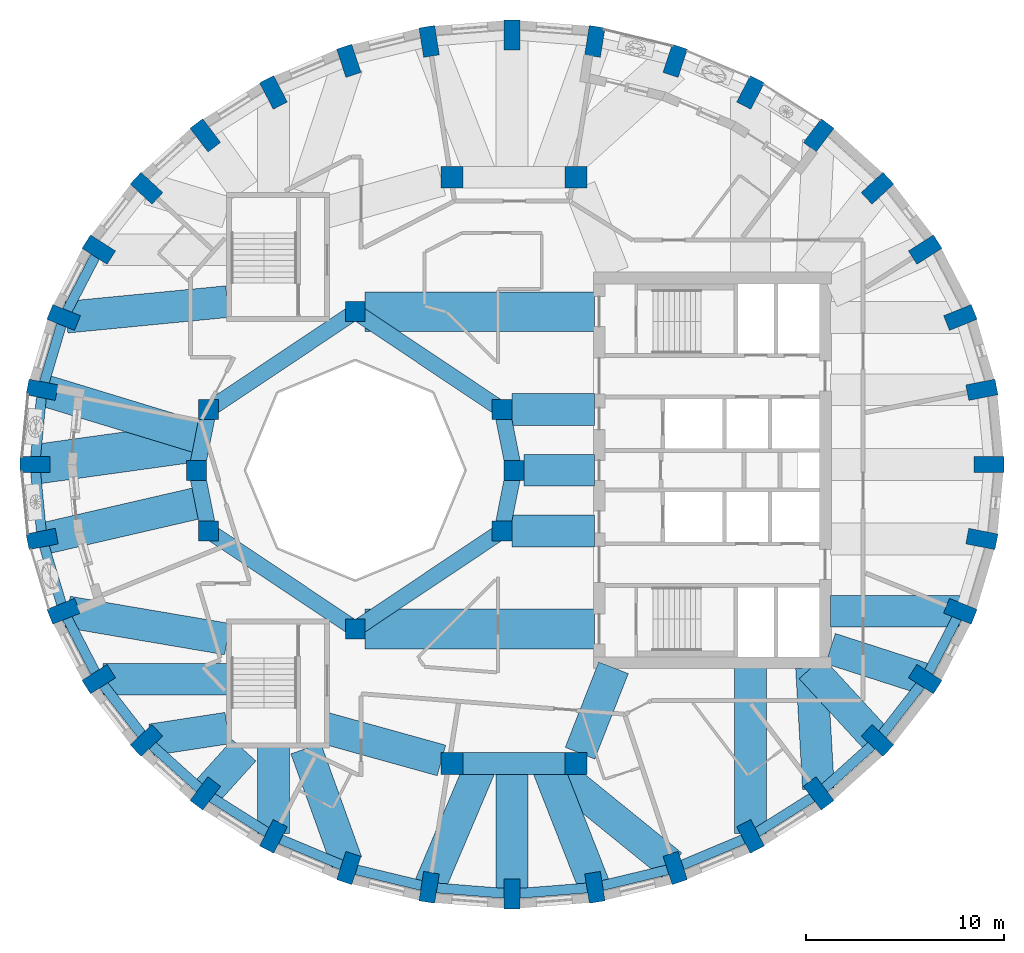
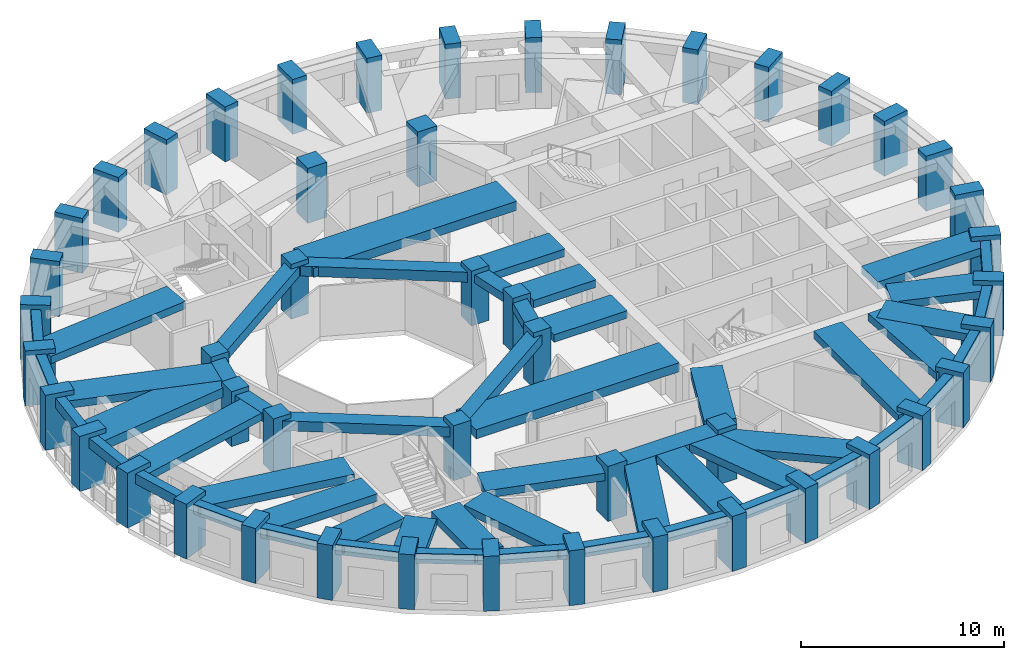
# One storey, part 1 of 12: 54 beams, 48 columns.
"""IFC4 building model written with IfcOpenShell, lengths in metres."""

from ifc_helpers import new_model, si_unit, direction, frame, origin, origin_2d, place, context, subcontext, project, spatial, rectangle, extrude, material, material_profile, profile_set, type_object, element, save


model = new_model("IFC4")

# Units and contexts
model_context = context("Model", 3, precision=1e-05, world=origin(), true_north=direction((0.0, 1.0)))
body_context = subcontext(model_context, "Body", "Model", "MODEL_VIEW")
ifc_project = project(units=[si_unit("LENGTHUNIT", "METRE"), si_unit("AREAUNIT", "SQUARE_METRE"), si_unit("VOLUMEUNIT", "CUBIC_METRE"), si_unit("PLANEANGLEUNIT", "RADIAN"), si_unit("MASSUNIT", "GRAM", prefix="KILO")], contexts=[model_context])

# Site, building, storey
site_placement = place(None, origin())
site = spatial("IfcSite", under=ifc_project, at=site_placement, CompositionType="ELEMENT")
building_placement = place(site_placement, origin())
building = spatial("IfcBuilding", under=site, at=building_placement, Name="Taillehof Tower", CompositionType="ELEMENT")
storey_placement = place(building_placement, frame((0.0, 0.0, 233.300048828125)))
storey = spatial("IfcBuildingStorey", under=building, at=storey_placement, Name="L66", CompositionType="ELEMENT", Elevation=233.300048828125)

# Columns
ifc_material_1 = material(Name="Concrete C50/60", Category="concrete")
ifc_material_profile_1 = material_profile(ifc_material_1, rectangle(XDim=1.0, YDim=1.0, at=origin_2d()), Name="RC 1000x1000")
ifc_profile_set_1 = profile_set([ifc_material_profile_1], Name="Concrete C50/60")
column_type_1 = type_object("IfcColumnType", Name="Atrium ring column C50/60 1000x1000", PredefinedType="COLUMN", material=ifc_profile_set_1)
for number, where, z_axis, x_axis, name in (
    (1, (0.0, 0.0, 0.0), (0.0, 0.0, 1.0), (1.0, 0.0, 0.0), "Column AC01"),
    (2, (-0.60888671875, 3.0615234375, 0.0), (0.0, 0.0, 1.0), (1.0, 0.0, 0.0), "Column AC02"),
    (3, (-8.0, 8.0, 0.0), (0.0, 0.0, 1.0), (1.0, 0.0, 0.0), "Column AC05"),
    (4, (-15.39111328125, 3.0615234375, 0.0), (0.0, 0.0, 1.0), (1.0, 0.0, 0.0), "Column AC08"),
    (5, (-16.0, 0.0, 0.0), (0.0, 0.0, 1.0), (1.0, 0.0, 0.0), "Column AC09"),
    (6, (-15.39111328125, -3.0615234375, 0.0), (0.0, 0.0, 1.0), (1.0, 0.0, 0.0), "Column AC10"),
    (7, (-8.0, -8.0, 0.0), (0.0, 0.0, 1.0), (1.0, 0.0, 0.0), "Column AC13"),
    (8, (-0.60888671875, -3.0615234375, 0.0), (0.0, 0.0, 1.0), (1.0, 0.0, 0.0), "Column AC16"),
):
    element("IfcColumn", number, at=place(storey_placement, frame(where, z_axis=z_axis, x_axis=x_axis)), inside=storey, type_object=column_type_1, Name=name, PredefinedType="COLUMN", context=body_context, shape_type="SweptSolid", body=[
        extrude(rectangle(XDim=1.0, YDim=1.0, at=origin_2d()), origin(), (0.0, 0.0, 1.0), 3.300048828125),
    ])
ifc_material_2 = material(Name="Concrete C50/60", Category="concrete")
ifc_material_profile_2 = material_profile(ifc_material_2, rectangle(XDim=1.10009765625, YDim=1.10009765625, at=origin_2d()), Name="RC 1100x1100")
ifc_profile_set_2 = profile_set([ifc_material_profile_2], Name="Concrete C50/60")
column_type_2 = type_object("IfcColumnType", Name="Mid-ring column C50/60 1100x1100", PredefinedType="COLUMN", material=ifc_profile_set_2)
for number, where, z_axis, x_axis, name in (
    (9, (3.125732421875, 14.772216796875, 0.0), (0.0, 0.0, 1.0), (1.0, 0.0, 0.0), "Column MC05"),
    (10, (-3.125732421875, 14.772216796875, 0.0), (0.0, 0.0, 1.0), (1.0, 0.0, 0.0), "Column MC06"),
    (11, (-3.125732421875, -14.772216796875, 0.0), (0.0, 0.0, 1.0), (1.0, 0.0, 0.0), "Column MC14"),
    (12, (3.125732421875, -14.772216796875, 0.0), (0.0, 0.0, 1.0), (1.0, 0.0, 0.0), "Column MC15"),
):
    element("IfcColumn", number, at=place(storey_placement, frame(where, z_axis=z_axis, x_axis=x_axis)), inside=storey, type_object=column_type_2, Name=name, PredefinedType="COLUMN", context=body_context, shape_type="SweptSolid", body=[
        extrude(rectangle(XDim=1.10009765625, YDim=1.10009765625, at=origin_2d()), origin(), (0.0, 0.0, 1.0), 3.300048828125),
    ])
ifc_material_3 = material(Name="Concrete C50/60", Category="concrete")
ifc_material_profile_3 = material_profile(ifc_material_3, rectangle(XDim=1.5, YDim=0.800048828125, at=origin_2d()), Name="RC 1500x800")
ifc_profile_set_3 = profile_set([ifc_material_profile_3], Name="Concrete C50/60")
column_type_3 = type_object("IfcColumnType", Name="Ring column C50/60 1500x800", PredefinedType="COLUMN", material=ifc_profile_set_3)
for number, where, z_axis, x_axis, name in (
    (13, (23.949951171875, 0.300048828125, 0.0), (0.0, 0.0, 1.0), (1.0, 0.0, 0.0), "Ring column RC01"),
    (14, (23.584716796875, 4.0595703125, 0.0), (0.0, 0.0, 1.0), (0.981472639166, 0.191602344891, 0.0), "Ring column RC02"),
    (15, (22.49951171875, 7.704833984375, 0.0), (0.0, 0.0, 1.0), (0.927524694272, 0.373761878092, 0.0), "Ring column RC03"),
    (16, (20.72802734375, 11.125, 0.0), (0.0, 0.0, 1.0), (0.842573772535, 0.538580948267, 0.0), "Ring column RC04"),
    (17, (18.323486328125, 14.21630859375, 0.0), (0.0, 0.0, 1.0), (0.73263579998, 0.680620881686, 0.0), "Ring column RC05"),
    (18, (15.359130859375, 16.884765625, 0.0), (0.0, 0.0, 1.0), (0.604020073066, 0.796969103123, 0.0), "Ring column RC06"),
    (19, (11.925048828125, 19.049560546875, 0.0), (0.0, 0.0, 1.0), (0.462383690865, 0.886679943622, 0.0), "Ring column RC07"),
    (20, (8.12548828125, 20.644287109375, 0.0), (0.0, 0.0, 1.0), (0.312304079287, 0.949982190391, 0.0), "Ring column RC08"),
    (21, (4.076171875, 21.62109375, 0.0), (0.0, 0.0, 1.0), (0.1572808136, 0.987553920388, 0.0), "Ring column RC09"),
    (22, (-0.10009765625, 21.949951171875, 0.0), (0.0, 0.0, 1.0), (0.0, 1.0, 0.0), "Ring column RC10"),
    (23, (-4.276123046875, 21.62109375, 0.0), (0.0, 0.0, 1.0), (-0.1572808136, 0.987553920388, 0.0), "Ring column RC11"),
    (24, (-8.32568359375, 20.644287109375, 0.0), (0.0, 0.0, 1.0), (-0.312304079287, 0.949982190391, 0.0), "Ring column RC12"),
    (25, (-12.125, 19.049560546875, 0.0), (0.0, 0.0, 1.0), (-0.462383690865, 0.886679943622, 0.0), "Ring column RC13"),
    (26, (-15.55908203125, 16.884765625, 0.0), (0.0, 0.0, 1.0), (-0.604020073066, 0.796969103123, 0.0), "Ring column RC14"),
    (27, (-18.5234375, 14.21630859375, 0.0), (0.0, 0.0, 1.0), (-0.73263579998, 0.680620881686, 0.0), "Ring column RC15"),
    (28, (-20.927978515625, 11.125, 0.0), (0.0, 0.0, 1.0), (-0.842573772535, 0.538580948267, 0.0), "Ring column RC16"),
    (29, (-22.69970703125, 7.704833984375, 0.0), (0.0, 0.0, 1.0), (-0.927524694272, 0.373761878092, 0.0), "Ring column RC17"),
    (30, (-23.78466796875, 4.0595703125, 0.0), (0.0, 0.0, 1.0), (-0.981472639166, 0.191602344891, 0.0), "Ring column RC18"),
    (31, (-24.14990234375, 0.300048828125, 0.0), (0.0, 0.0, 1.0), (-1.0, 0.0, 0.0), "Ring column RC19"),
    (32, (-23.78466796875, -3.45947265625, 0.0), (0.0, 0.0, 1.0), (-0.981472639166, -0.191602344891, 0.0), "Ring column RC20"),
    (33, (-22.69970703125, -7.104736328125, 0.0), (0.0, 0.0, 1.0), (-0.927524694272, -0.373761878092, 0.0), "Ring column RC21"),
    (34, (-20.927978515625, -10.52490234375, 0.0), (0.0, 0.0, 1.0), (-0.842573772535, -0.538580948267, 0.0), "Ring column RC22"),
    (35, (-18.5234375, -13.616455078125, 0.0), (0.0, 0.0, 1.0), (-0.73263579998, -0.680620881686, 0.0), "Ring column RC23"),
    (36, (-15.55908203125, -16.284912109375, 0.0), (0.0, 0.0, 1.0), (-0.604020073066, -0.796969103123, 0.0), "Ring column RC24"),
    (37, (-12.125, -18.449462890625, 0.0), (0.0, 0.0, 1.0), (-0.462383690865, -0.886679943622, 0.0), "Ring column RC25"),
    (38, (-8.32568359375, -20.04443359375, 0.0), (0.0, 0.0, 1.0), (-0.312304079287, -0.949982190391, 0.0), "Ring column RC26"),
    (39, (-4.276123046875, -21.02099609375, 0.0), (0.0, 0.0, 1.0), (-0.1572808136, -0.987553920388, 0.0), "Ring column RC27"),
    (40, (-0.10009765625, -21.35009765625, 0.0), (0.0, 0.0, 1.0), (0.0, -1.0, 0.0), "Ring column RC28"),
    (41, (4.076171875, -21.02099609375, 0.0), (0.0, 0.0, 1.0), (0.1572808136, -0.987553920388, 0.0), "Ring column RC29"),
    (42, (8.12548828125, -20.04443359375, 0.0), (0.0, 0.0, 1.0), (0.312304079287, -0.949982190391, 0.0), "Ring column RC30"),
    (43, (11.925048828125, -18.449462890625, 0.0), (0.0, 0.0, 1.0), (0.462383690865, -0.886679943622, 0.0), "Ring column RC31"),
    (44, (15.359130859375, -16.284912109375, 0.0), (0.0, 0.0, 1.0), (0.604020073066, -0.796969103123, 0.0), "Ring column RC32"),
    (45, (18.323486328125, -13.616455078125, 0.0), (0.0, 0.0, 1.0), (0.73263579998, -0.680620881686, 0.0), "Ring column RC33"),
    (46, (20.72802734375, -10.52490234375, 0.0), (0.0, 0.0, 1.0), (0.842573772535, -0.538580948267, 0.0), "Ring column RC34"),
    (47, (22.49951171875, -7.104736328125, 0.0), (0.0, 0.0, 1.0), (0.927524694272, -0.373761878092, 0.0), "Ring column RC35"),
    (48, (23.584716796875, -3.45947265625, 0.0), (0.0, 0.0, 1.0), (0.981472639166, -0.191602344891, 0.0), "Ring column RC36"),
):
    element("IfcColumn", number, at=place(storey_placement, frame(where, z_axis=z_axis, x_axis=x_axis)), inside=storey, type_object=column_type_3, Name=name, PredefinedType="COLUMN", context=body_context, shape_type="SweptSolid", body=[
        extrude(rectangle(XDim=1.5, YDim=0.800048828125, at=origin_2d()), origin(), (0.0, 0.0, 1.0), 3.300048828125),
    ])

# Beams
ifc_material_4 = material(Name="Concrete C50/60", Category="concrete")
ifc_material_profile_4 = material_profile(ifc_material_4, rectangle(XDim=0.800048828125, YDim=0.5, at=origin_2d()), Name="RC 800x500")
ifc_profile_set_4 = profile_set([ifc_material_profile_4], Name="Concrete C50/60")
beam_type_1 = type_object("IfcBeamType", Name="Atrium ring beam C50/60 800x500", PredefinedType="BEAM", material=ifc_profile_set_4)
for number, where, z_axis, x_axis, name in (
    (49, (0.0, 0.0, 2.77001953125), (-0.195063155143, 0.980790683839, 0.0), (-0.980790683839, -0.195063155143, 0.0), "Atrium ring beam AB01"),
    (50, (-15.39111328125, 3.0615234375, 2.77001953125), (-0.195063155143, -0.980790683839, 0.0), (0.980790683839, -0.195063155143, 0.0), "Atrium ring beam AB04"),
    (51, (-16.0, 0.0, 2.77001953125), (0.195063155143, -0.980790683839, 0.0), (0.980790683839, 0.195063155143, 0.0), "Atrium ring beam AB05"),
    (52, (-0.60888671875, -3.0615234375, 2.77001953125), (0.195063155143, 0.980790683839, 0.0), (-0.980790683839, 0.195063155143, 0.0), "Atrium ring beam AB08"),
):
    element("IfcBeam", number, at=place(storey_placement, frame(where, z_axis=z_axis, x_axis=x_axis)), inside=storey, type_object=beam_type_1, Name=name, PredefinedType="BEAM", context=body_context, shape_type="SweptSolid", body=[
        extrude(rectangle(XDim=0.800048828125, YDim=0.5, at=origin_2d()), origin(), (0.0, 0.0, 1.0), 3.12158203125),
    ])
ifc_material_5 = material(Name="Concrete C50/60", Category="concrete")
ifc_material_profile_5 = material_profile(ifc_material_5, rectangle(XDim=0.800048828125, YDim=0.60009765625, at=origin_2d()), Name="RC 800x600")
ifc_profile_set_5 = profile_set([ifc_material_profile_5], Name="Concrete C50/60")
beam_type_2 = type_object("IfcBeamType", Name="Atrium ring beam C50/60 800x600", PredefinedType="BEAM", material=ifc_profile_set_5)
for number, where, z_axis, x_axis, name in (
    (53, (-0.60888671875, 3.0615234375, 2.719970703125), (-0.831475195687, 0.555561876804, 0.0), (-0.555561876804, -0.831475195687, 0.0), "Atrium ring beam AB02"),
    (54, (-8.0, 8.0, 2.719970703125), (-0.831475195687, -0.555561876804, 0.0), (0.555561876804, -0.831475195687, 0.0), "Atrium ring beam AB03"),
    (55, (-15.39111328125, -3.0615234375, 2.719970703125), (0.831475195687, -0.555561876804, 0.0), (0.555561876804, 0.831475195687, 0.0), "Atrium ring beam AB06"),
    (56, (-8.0, -8.0, 2.719970703125), (0.831475195687, 0.555561876804, 0.0), (-0.555561876804, 0.831475195687, 0.0), "Atrium ring beam AB07"),
):
    element("IfcBeam", number, at=place(storey_placement, frame(where, z_axis=z_axis, x_axis=x_axis)), inside=storey, type_object=beam_type_2, Name=name, PredefinedType="BEAM", context=body_context, shape_type="SweptSolid", body=[
        extrude(rectangle(XDim=0.800048828125, YDim=0.60009765625, at=origin_2d()), origin(), (0.0, 0.0, 1.0), 8.88916015625),
    ])
ifc_material_6 = material(Name="Concrete C50/60", Category="concrete")
ifc_material_profile_6 = material_profile(ifc_material_6, rectangle(XDim=1.10009765625, YDim=0.60009765625, at=origin_2d()), Name="RC 1100x600")
ifc_profile_set_6 = profile_set([ifc_material_profile_6], Name="Concrete C50/60")
beam_type_3 = type_object("IfcBeamType", Name="Mid-ring beam C50/60 1100x600", PredefinedType="BEAM", material=ifc_profile_set_6)
beam_1_placement = place(storey_placement, frame((-3.125732421875, -14.772216796875, 2.719970703125), z_axis=(1.0, 0.0, 0.0), x_axis=(0.0, 1.0, 0.0)))
element("IfcBeam", 57, at=beam_1_placement, inside=storey, type_object=beam_type_3, Name="Mid-ring beam MB02", PredefinedType="BEAM", context=body_context, shape_type="SweptSolid", body=[
    extrude(rectangle(XDim=1.10009765625, YDim=0.60009765625, at=origin_2d()), origin(), (0.0, 0.0, 1.0), 6.25146484375),
])
ifc_material_7 = material(Name="Concrete C50/60", Category="concrete")
ifc_material_profile_7 = material_profile(ifc_material_7, rectangle(XDim=1.60009765625, YDim=0.449951171875, at=origin_2d()), Name="RC 1600x450")
ifc_profile_set_7 = profile_set([ifc_material_profile_7], Name="Concrete C50/60")
beam_type_4 = type_object("IfcBeamType", Name="Radial band beam C50/60 1600x450", PredefinedType="BEAM", material=ifc_profile_set_7)
beam_2_placement = place(storey_placement, frame((-22.564697265625, 7.7177734375, 2.794921875), z_axis=(0.995328408647, 0.096547185049, 0.0), x_axis=(-0.096547185049, 0.995328408647, 0.0)))
element("IfcBeam", 58, at=beam_2_placement, inside=storey, type_object=beam_type_4, Name="Radial band beam RB17", PredefinedType="BEAM", context=body_context, shape_type="SweptSolid", body=[
    extrude(rectangle(XDim=1.60009765625, YDim=0.449951171875, at=origin_2d()), origin(), (0.0, 0.0, 1.0), 8.152587890625),
])
beam_3_placement = place(storey_placement, frame((-23.78466796875, 4.0595703125, 2.794921875), z_axis=(0.956552302924, -0.291560785721, 0.0), x_axis=(0.291560785721, 0.956552302924, 0.0)))
element("IfcBeam", 59, at=beam_3_placement, inside=storey, type_object=beam_type_4, Name="Radial band beam RB18", PredefinedType="BEAM", context=body_context, shape_type="SweptSolid", body=[
    extrude(rectangle(XDim=1.60009765625, YDim=0.449951171875, at=origin_2d()), origin(), (0.0, 0.0, 1.0), 8.468994140625),
])
beam_4_placement = place(storey_placement, frame((-23.78466796875, -3.45947265625, 2.794921875), z_axis=(0.974400103511, 0.224820902672, 0.0), x_axis=(-0.224820902672, 0.974400103511, 0.0)))
element("IfcBeam", 60, at=beam_4_placement, inside=storey, type_object=beam_type_4, Name="Radial band beam RB20", PredefinedType="BEAM", context=body_context, shape_type="SweptSolid", body=[
    extrude(rectangle(XDim=1.60009765625, YDim=0.449951171875, at=origin_2d()), origin(), (0.0, 0.0, 1.0), 8.31396484375),
])
beam_5_placement = place(storey_placement, frame((-22.502685546875, -7.13818359375, 2.794921875), z_axis=(0.985830005482, -0.167747430059, 0.0), x_axis=(0.167747430059, 0.985830005482, 0.0)))
element("IfcBeam", 61, at=beam_5_placement, inside=storey, type_object=beam_type_4, Name="Radial band beam RB21", PredefinedType="BEAM", context=body_context, shape_type="SweptSolid", body=[
    extrude(rectangle(XDim=1.60009765625, YDim=0.449951171875, at=origin_2d()), origin(), (0.0, 0.0, 1.0), 8.167724609375),
])
beam_6_placement = place(storey_placement, frame((-20.7119140625, -10.52490234375, 2.794921875), z_axis=(1.0, 0.0, 0.0), x_axis=(0.0, 1.0, 0.0)))
element("IfcBeam", 62, at=beam_6_placement, inside=storey, type_object=beam_type_4, Name="Radial band beam RB22", PredefinedType="BEAM", context=body_context, shape_type="SweptSolid", body=[
    extrude(rectangle(XDim=1.60009765625, YDim=0.449951171875, at=origin_2d()), origin(), (0.0, 0.0, 1.0), 6.261962890625),
])
beam_7_placement = place(storey_placement, frame((-18.283447265625, -13.57958984375, 2.794921875), z_axis=(0.988468308682, 0.151427879634, 0.0), x_axis=(-0.151427879634, 0.988468308682, 0.0)))
element("IfcBeam", 63, at=beam_7_placement, inside=storey, type_object=beam_type_4, Name="Radial band beam RB23", PredefinedType="BEAM", context=body_context, shape_type="SweptSolid", body=[
    extrude(rectangle(XDim=1.60009765625, YDim=0.449951171875, at=origin_2d()), origin(), (0.0, 0.0, 1.0), 3.87744140625),
])
beam_8_placement = place(storey_placement, frame((-15.55908203125, -16.284912109375, 2.794921875), z_axis=(0.669439419649, 0.742866652516, 0.0), x_axis=(-0.742866652516, 0.669439419649, 0.0)))
element("IfcBeam", 64, at=beam_8_placement, inside=storey, type_object=beam_type_4, Name="Radial band beam RB24", PredefinedType="BEAM", context=body_context, shape_type="SweptSolid", body=[
    extrude(rectangle(XDim=1.60009765625, YDim=0.449951171875, at=origin_2d()), origin(), (0.0, 0.0, 1.0), 2.926025390625),
])
beam_9_placement = place(storey_placement, frame((-12.125, -18.3154296875, 2.794921875), z_axis=(0.0, 1.0, 0.0), x_axis=(-1.0, 0.0, 0.0)))
element("IfcBeam", 65, at=beam_9_placement, inside=storey, type_object=beam_type_4, Name="Radial band beam RB25", PredefinedType="BEAM", context=body_context, shape_type="SweptSolid", body=[
    extrude(rectangle(XDim=1.60009765625, YDim=0.449951171875, at=origin_2d()), origin(), (0.0, 0.0, 1.0), 4.365478515625),
])
beam_10_placement = place(storey_placement, frame((-8.42919921875, -19.755859375, 2.794921875), z_axis=(-0.338515207556, 0.940960920683, 0.0), x_axis=(-0.940960920683, -0.338515207556, 0.0)))
element("IfcBeam", 66, at=beam_10_placement, inside=storey, type_object=beam_type_4, Name="Radial band beam RB26", PredefinedType="BEAM", context=body_context, shape_type="SweptSolid", body=[
    extrude(rectangle(XDim=1.60009765625, YDim=0.449951171875, at=origin_2d()), origin(), (0.0, 0.0, 1.0), 6.094970703125),
])
beam_11_placement = place(storey_placement, frame((-4.276123046875, -21.02099609375, 2.794921875), z_axis=(0.390474101739, 0.920613912491, 0.0), x_axis=(-0.920613912491, 0.390474101739, 0.0)))
element("IfcBeam", 67, at=beam_11_placement, inside=storey, type_object=beam_type_4, Name="Radial band beam RB27", PredefinedType="BEAM", context=body_context, shape_type="SweptSolid", body=[
    extrude(rectangle(XDim=1.60009765625, YDim=0.449951171875, at=origin_2d()), origin(), (0.0, 0.0, 1.0), 6.78759765625),
])
beam_12_placement = place(storey_placement, frame((-0.10009765625, -21.35009765625, 2.794921875), z_axis=(0.0, 1.0, 0.0), x_axis=(-1.0, 0.0, 0.0)))
element("IfcBeam", 68, at=beam_12_placement, inside=storey, type_object=beam_type_4, Name="Radial band beam RB28", PredefinedType="BEAM", context=body_context, shape_type="SweptSolid", body=[
    extrude(rectangle(XDim=1.60009765625, YDim=0.449951171875, at=origin_2d()), origin(), (0.0, 0.0, 1.0), 6.577880859375),
])
beam_13_placement = place(storey_placement, frame((4.076171875, -21.02099609375, 2.794921875), z_axis=(-0.365079492969, 0.93097634976, 0.0), x_axis=(-0.93097634976, -0.365079492969, 0.0)))
element("IfcBeam", 69, at=beam_13_placement, inside=storey, type_object=beam_type_4, Name="Radial band beam RB29", PredefinedType="BEAM", context=body_context, shape_type="SweptSolid", body=[
    extrude(rectangle(XDim=1.60009765625, YDim=0.449951171875, at=origin_2d()), origin(), (0.0, 0.0, 1.0), 6.712158203125),
])
beam_14_placement = place(storey_placement, frame((7.9560546875, -19.90673828125, 2.794921875), z_axis=(-0.776646099525, 0.629937168369, 0.0), x_axis=(-0.629937168369, -0.776646099525, 0.0)))
element("IfcBeam", 70, at=beam_14_placement, inside=storey, type_object=beam_type_4, Name="Radial band beam RB30", PredefinedType="BEAM", context=body_context, shape_type="SweptSolid", body=[
    extrude(rectangle(XDim=1.60009765625, YDim=0.449951171875, at=origin_2d()), origin(), (0.0, 0.0, 1.0), 8.03759765625),
])
beam_15_placement = place(storey_placement, frame((11.925048828125, -18.3154296875, 2.794921875), z_axis=(0.0, 1.0, 0.0), x_axis=(-1.0, 0.0, 0.0)))
element("IfcBeam", 71, at=beam_15_placement, inside=storey, type_object=beam_type_4, Name="Radial band beam RB31", PredefinedType="BEAM", context=body_context, shape_type="SweptSolid", body=[
    extrude(rectangle(XDim=1.60009765625, YDim=0.449951171875, at=origin_2d()), origin(), (0.0, 0.0, 1.0), 8.365478515625),
])
beam_16_placement = place(storey_placement, frame((15.345703125, -16.050537109375, 2.794921875), z_axis=(-0.057056617778, 0.998370944273, 0.0), x_axis=(-0.998370944273, -0.057056617778, 0.0)))
element("IfcBeam", 72, at=beam_16_placement, inside=storey, type_object=beam_type_4, Name="Radial band beam RB32", PredefinedType="BEAM", context=body_context, shape_type="SweptSolid", body=[
    extrude(rectangle(XDim=1.60009765625, YDim=0.449951171875, at=origin_2d()), origin(), (0.0, 0.0, 1.0), 6.1103515625),
])
beam_17_placement = place(storey_placement, frame((18.323486328125, -13.616455078125, 2.794921875), z_axis=(-0.676659897365, 0.736295717289, 0.0), x_axis=(-0.736295717289, -0.676659897365, 0.0)))
element("IfcBeam", 73, at=beam_17_placement, inside=storey, type_object=beam_type_4, Name="Radial band beam RB33", PredefinedType="BEAM", context=body_context, shape_type="SweptSolid", body=[
    extrude(rectangle(XDim=1.60009765625, YDim=0.449951171875, at=origin_2d()), origin(), (0.0, 0.0, 1.0), 4.961669921875),
])
beam_18_placement = place(storey_placement, frame((20.72802734375, -10.52490234375, 2.794921875), z_axis=(-0.951722832358, 0.306958711178, 0.0), x_axis=(-0.306958711178, -0.951722832358, 0.0)))
element("IfcBeam", 74, at=beam_18_placement, inside=storey, type_object=beam_type_4, Name="Radial band beam RB34", PredefinedType="BEAM", context=body_context, shape_type="SweptSolid", body=[
    extrude(rectangle(XDim=1.60009765625, YDim=0.449951171875, at=origin_2d()), origin(), (0.0, 0.0, 1.0), 5.017822265625),
])
beam_19_placement = place(storey_placement, frame((22.44580078125, -7.104736328125, 2.794921875), z_axis=(-1.0, 0.0, 0.0), x_axis=(0.0, -1.0, 0.0)))
element("IfcBeam", 75, at=beam_19_placement, inside=storey, type_object=beam_type_4, Name="Radial band beam RB35", PredefinedType="BEAM", context=body_context, shape_type="SweptSolid", body=[
    extrude(rectangle(XDim=1.60009765625, YDim=0.449951171875, at=origin_2d()), origin(), (0.0, 0.0, 1.0), 6.495849609375),
])
beam_20_placement = place(storey_placement, frame((0.5, 0.0, 2.794921875), z_axis=(1.0, 0.0, 0.0), x_axis=(0.0, 1.0, 0.0)))
element("IfcBeam", 76, at=beam_20_placement, inside=storey, type_object=beam_type_4, Name="Inner band beam IB101", PredefinedType="BEAM", context=body_context, shape_type="SweptSolid", body=[
    extrude(rectangle(XDim=1.60009765625, YDim=0.449951171875, at=origin_2d()), origin(), (0.0, 0.0, 1.0), 3.550048828125),
])
for number, where, z_axis, x_axis, name in (
    (77, (-0.10888671875, 3.0615234375, 2.794921875), (1.0, 0.0, 0.0), (0.0, 1.0, 0.0), "Inner band beam IB102"),
    (78, (-0.10888671875, -3.0615234375, 2.794921875), (1.0, 0.0, 0.0), (0.0, 1.0, 0.0), "Inner band beam IB116"),
):
    element("IfcBeam", number, at=place(storey_placement, frame(where, z_axis=z_axis, x_axis=x_axis)), inside=storey, type_object=beam_type_4, Name=name, PredefinedType="BEAM", context=body_context, shape_type="SweptSolid", body=[
        extrude(rectangle(XDim=1.60009765625, YDim=0.449951171875, at=origin_2d()), origin(), (0.0, 0.0, 1.0), 4.158935546875),
    ])
beam_21_placement = place(storey_placement, frame((-3.655517578125, -14.624755859375, 2.794921875), z_axis=(-0.963459369536, 0.267854518821, 0.0), x_axis=(-0.267854518821, -0.963459369536, 0.0)))
element("IfcBeam", 79, at=beam_21_placement, inside=storey, type_object=beam_type_4, Name="Inner band beam IB214", PredefinedType="BEAM", context=body_context, shape_type="SweptSolid", body=[
    extrude(rectangle(XDim=1.60009765625, YDim=0.449951171875, at=origin_2d()), origin(), (0.0, 0.0, 1.0), 6.096923828125),
])
beam_22_placement = place(storey_placement, frame((3.32666015625, -14.26025390625, 2.794921875), z_axis=(0.365588707223, 0.930776502255, 0.0), x_axis=(-0.930776502255, 0.365588707223, 0.0)))
element("IfcBeam", 80, at=beam_22_placement, inside=storey, type_object=beam_type_4, Name="Inner band beam IB215", PredefinedType="BEAM", context=body_context, shape_type="SweptSolid", body=[
    extrude(rectangle(XDim=1.60009765625, YDim=0.449951171875, at=origin_2d()), origin(), (0.0, 0.0, 1.0), 4.627197265625),
])
ifc_material_8 = material(Name="Concrete C50/60", Category="concrete")
ifc_material_profile_8 = material_profile(ifc_material_8, rectangle(XDim=2.0, YDim=0.550048828125, at=origin_2d()), Name="RC 2000x550")
ifc_profile_set_8 = profile_set([ifc_material_profile_8], Name="Concrete C50/60")
beam_type_5 = type_object("IfcBeamType", Name="Radial band beam C50/60 2000x550", PredefinedType="BEAM", material=ifc_profile_set_8)
beam_23_placement = place(storey_placement, frame((-24.14990234375, 0.300048828125, 2.744873046875), z_axis=(0.990515351696, 0.137402103528, 0.0), x_axis=(-0.137402103528, 0.990515351696, 0.0)))
element("IfcBeam", 81, at=beam_23_placement, inside=storey, type_object=beam_type_5, Name="Radial band beam RB19", PredefinedType="BEAM", context=body_context, shape_type="SweptSolid", body=[
    extrude(rectangle(XDim=2.0, YDim=0.550048828125, at=origin_2d()), origin(), (0.0, 0.0, 1.0), 8.5234375),
])
for number, where, z_axis, x_axis, name in (
    (82, (-7.5, 8.0, 2.744873046875), (1.0, 0.0, 0.0), (0.0, 1.0, 0.0), "Inner band beam IB105"),
    (83, (-7.5, -8.0, 2.744873046875), (1.0, 0.0, 0.0), (0.0, 1.0, 0.0), "Inner band beam IB113"),
):
    element("IfcBeam", number, at=place(storey_placement, frame(where, z_axis=z_axis, x_axis=x_axis)), inside=storey, type_object=beam_type_5, Name=name, PredefinedType="BEAM", context=body_context, shape_type="SweptSolid", body=[
        extrude(rectangle(XDim=2.0, YDim=0.550048828125, at=origin_2d()), origin(), (0.0, 0.0, 1.0), 11.550048828125),
    ])
ifc_material_9 = material(Name="Concrete C50/60", Category="concrete")
ifc_material_profile_9 = material_profile(ifc_material_9, rectangle(XDim=0.5, YDim=0.60009765625, at=origin_2d()), Name="RC 500x600")
ifc_profile_set_9 = profile_set([ifc_material_profile_9], Name="Concrete C50/60")
beam_type_6 = type_object("IfcBeamType", Name="Spandrel beam C50/60 500x600", PredefinedType="SPANDREL", material=ifc_profile_set_9)
beam_24_placement = place(storey_placement, frame((-20.927978515625, 11.125, 2.719970703125), z_axis=(-0.459971160554, -0.88793385534, 0.0), x_axis=(0.88793385534, -0.459971160554, 0.0)))
element("IfcBeam", 84, at=beam_24_placement, inside=storey, type_object=beam_type_6, Name="Spandrel beam SB16", PredefinedType="SPANDREL", context=body_context, shape_type="SweptSolid", body=[
    extrude(rectangle(XDim=0.5, YDim=0.60009765625, at=origin_2d()), origin(), (0.0, 0.0, 1.0), 3.851806640625),
])
beam_25_placement = place(storey_placement, frame((-22.69970703125, 7.704833984375, 2.719970703125), z_axis=(-0.285268336874, -0.958447690788, 0.0), x_axis=(0.958447690788, -0.285268336874, 0.0)))
element("IfcBeam", 85, at=beam_25_placement, inside=storey, type_object=beam_type_6, Name="Spandrel beam SB17", PredefinedType="SPANDREL", context=body_context, shape_type="SweptSolid", body=[
    extrude(rectangle(XDim=0.5, YDim=0.60009765625, at=origin_2d()), origin(), (0.0, 0.0, 1.0), 3.80322265625),
])
for number, where, z_axis, x_axis, name in (
    (86, (-23.78466796875, 4.0595703125, 2.719970703125), (-0.096693940319, -0.995314162416, 0.0), (0.995314162416, -0.096693940319, 0.0), "Spandrel beam SB18"),
    (87, (-24.14990234375, 0.300048828125, 2.719970703125), (0.096693940319, -0.995314162416, 0.0), (0.995314162416, 0.096693940319, 0.0), "Spandrel beam SB19"),
):
    element("IfcBeam", number, at=place(storey_placement, frame(where, z_axis=z_axis, x_axis=x_axis)), inside=storey, type_object=beam_type_6, Name=name, PredefinedType="SPANDREL", context=body_context, shape_type="SweptSolid", body=[
        extrude(rectangle(XDim=0.5, YDim=0.60009765625, at=origin_2d()), origin(), (0.0, 0.0, 1.0), 3.777099609375),
    ])
beam_26_placement = place(storey_placement, frame((-23.78466796875, -3.45947265625, 2.719970703125), z_axis=(0.285268336874, -0.958447690788, 0.0), x_axis=(0.958447690788, 0.285268336874, 0.0)))
element("IfcBeam", 88, at=beam_26_placement, inside=storey, type_object=beam_type_6, Name="Spandrel beam SB20", PredefinedType="SPANDREL", context=body_context, shape_type="SweptSolid", body=[
    extrude(rectangle(XDim=0.5, YDim=0.60009765625, at=origin_2d()), origin(), (0.0, 0.0, 1.0), 3.80322265625),
])
beam_27_placement = place(storey_placement, frame((-22.69970703125, -7.104736328125, 2.719970703125), z_axis=(0.459971160554, -0.88793385534, 0.0), x_axis=(0.88793385534, 0.459971160554, 0.0)))
element("IfcBeam", 89, at=beam_27_placement, inside=storey, type_object=beam_type_6, Name="Spandrel beam SB21", PredefinedType="SPANDREL", context=body_context, shape_type="SweptSolid", body=[
    extrude(rectangle(XDim=0.5, YDim=0.60009765625, at=origin_2d()), origin(), (0.0, 0.0, 1.0), 3.851806640625),
])
beam_28_placement = place(storey_placement, frame((-20.927978515625, -10.52490234375, 2.719970703125), z_axis=(0.613940613515, -0.789352217376, 0.0), x_axis=(0.789352217376, 0.613940613515, 0.0)))
element("IfcBeam", 90, at=beam_28_placement, inside=storey, type_object=beam_type_6, Name="Spandrel beam SB22", PredefinedType="SPANDREL", context=body_context, shape_type="SweptSolid", body=[
    extrude(rectangle(XDim=0.5, YDim=0.60009765625, at=origin_2d()), origin(), (0.0, 0.0, 1.0), 3.91650390625),
])
beam_29_placement = place(storey_placement, frame((-18.5234375, -13.616455078125, 2.719970703125), z_axis=(0.743227182134, -0.669039128704, 0.0), x_axis=(0.669039128704, 0.743227182134, 0.0)))
element("IfcBeam", 91, at=beam_29_placement, inside=storey, type_object=beam_type_6, Name="Spandrel beam SB23", PredefinedType="SPANDREL", context=body_context, shape_type="SweptSolid", body=[
    extrude(rectangle(XDim=0.5, YDim=0.60009765625, at=origin_2d()), origin(), (0.0, 0.0, 1.0), 3.988525390625),
])
beam_30_placement = place(storey_placement, frame((-15.55908203125, -16.284912109375, 2.719970703125), z_axis=(0.845971606716, -0.533227944344, 0.0), x_axis=(0.533227944344, 0.845971606716, 0.0)))
element("IfcBeam", 92, at=beam_30_placement, inside=storey, type_object=beam_type_6, Name="Spandrel beam SB24", PredefinedType="SPANDREL", context=body_context, shape_type="SweptSolid", body=[
    extrude(rectangle(XDim=0.5, YDim=0.60009765625, at=origin_2d()), origin(), (0.0, 0.0, 1.0), 4.059326171875),
])
beam_31_placement = place(storey_placement, frame((-12.125, -18.449462890625, 2.719970703125), z_axis=(0.922046399446, -0.387079368178, 0.0), x_axis=(0.387079368178, 0.922046399446, 0.0)))
element("IfcBeam", 93, at=beam_31_placement, inside=storey, type_object=beam_type_6, Name="Spandrel beam SB25", PredefinedType="SPANDREL", context=body_context, shape_type="SweptSolid", body=[
    extrude(rectangle(XDim=0.5, YDim=0.60009765625, at=origin_2d()), origin(), (0.0, 0.0, 1.0), 4.12060546875),
])
beam_32_placement = place(storey_placement, frame((-8.32568359375, -20.04443359375, 2.719970703125), z_axis=(0.972132431202, -0.234432370218, 0.0), x_axis=(0.234432370218, 0.972132431202, 0.0)))
element("IfcBeam", 94, at=beam_32_placement, inside=storey, type_object=beam_type_6, Name="Spandrel beam SB26", PredefinedType="SPANDREL", context=body_context, shape_type="SweptSolid", body=[
    extrude(rectangle(XDim=0.5, YDim=0.60009765625, at=origin_2d()), origin(), (0.0, 0.0, 1.0), 4.16552734375),
])
beam_33_placement = place(storey_placement, frame((-4.276123046875, -21.02099609375, 2.719970703125), z_axis=(0.996909089392, -0.078563779743, 0.0), x_axis=(0.078563779743, 0.996909089392, 0.0)))
element("IfcBeam", 95, at=beam_33_placement, inside=storey, type_object=beam_type_6, Name="Spandrel beam SB27", PredefinedType="SPANDREL", context=body_context, shape_type="SweptSolid", body=[
    extrude(rectangle(XDim=0.5, YDim=0.60009765625, at=origin_2d()), origin(), (0.0, 0.0, 1.0), 4.18896484375),
])
beam_34_placement = place(storey_placement, frame((-0.10009765625, -21.35009765625, 2.719970703125), z_axis=(0.996909449091, 0.078559215326, 0.0), x_axis=(-0.078559215326, 0.996909449091, 0.0)))
element("IfcBeam", 96, at=beam_34_placement, inside=storey, type_object=beam_type_6, Name="Spandrel beam SB28", PredefinedType="SPANDREL", context=body_context, shape_type="SweptSolid", body=[
    extrude(rectangle(XDim=0.5, YDim=0.60009765625, at=origin_2d()), origin(), (0.0, 0.0, 1.0), 4.189208984375),
])
beam_35_placement = place(storey_placement, frame((4.076171875, -21.02099609375, 2.719970703125), z_axis=(0.972129209911, 0.234445727701, 0.0), x_axis=(-0.234445727701, 0.972129209911, 0.0)))
element("IfcBeam", 97, at=beam_35_placement, inside=storey, type_object=beam_type_6, Name="Spandrel beam SB29", PredefinedType="SPANDREL", context=body_context, shape_type="SweptSolid", body=[
    extrude(rectangle(XDim=0.5, YDim=0.60009765625, at=origin_2d()), origin(), (0.0, 0.0, 1.0), 4.16552734375),
])
beam_36_placement = place(storey_placement, frame((8.12548828125, -20.04443359375, 2.719970703125), z_axis=(0.922055276152, 0.38705822265, 0.0), x_axis=(-0.38705822265, 0.922055276152, 0.0)))
element("IfcBeam", 98, at=beam_36_placement, inside=storey, type_object=beam_type_6, Name="Spandrel beam SB30", PredefinedType="SPANDREL", context=body_context, shape_type="SweptSolid", body=[
    extrude(rectangle(XDim=0.5, YDim=0.60009765625, at=origin_2d()), origin(), (0.0, 0.0, 1.0), 4.120849609375),
])
beam_37_placement = place(storey_placement, frame((11.925048828125, -18.449462890625, 2.719970703125), z_axis=(0.845971606716, 0.533227944344, 0.0), x_axis=(-0.533227944344, 0.845971606716, 0.0)))
element("IfcBeam", 99, at=beam_37_placement, inside=storey, type_object=beam_type_6, Name="Spandrel beam SB31", PredefinedType="SPANDREL", context=body_context, shape_type="SweptSolid", body=[
    extrude(rectangle(XDim=0.5, YDim=0.60009765625, at=origin_2d()), origin(), (0.0, 0.0, 1.0), 4.059326171875),
])
beam_38_placement = place(storey_placement, frame((15.359130859375, -16.284912109375, 2.719970703125), z_axis=(0.743227182134, 0.669039128704, 0.0), x_axis=(-0.669039128704, 0.743227182134, 0.0)))
element("IfcBeam", 100, at=beam_38_placement, inside=storey, type_object=beam_type_6, Name="Spandrel beam SB32", PredefinedType="SPANDREL", context=body_context, shape_type="SweptSolid", body=[
    extrude(rectangle(XDim=0.5, YDim=0.60009765625, at=origin_2d()), origin(), (0.0, 0.0, 1.0), 3.988525390625),
])
beam_39_placement = place(storey_placement, frame((18.323486328125, -13.616455078125, 2.719970703125), z_axis=(0.613940613515, 0.789352217376, 0.0), x_axis=(-0.789352217376, 0.613940613515, 0.0)))
element("IfcBeam", 101, at=beam_39_placement, inside=storey, type_object=beam_type_6, Name="Spandrel beam SB33", PredefinedType="SPANDREL", context=body_context, shape_type="SweptSolid", body=[
    extrude(rectangle(XDim=0.5, YDim=0.60009765625, at=origin_2d()), origin(), (0.0, 0.0, 1.0), 3.91650390625),
])
beam_40_placement = place(storey_placement, frame((20.72802734375, -10.52490234375, 2.719970703125), z_axis=(0.45992118545, 0.887959741865, 0.0), x_axis=(-0.887959741865, 0.45992118545, 0.0)))
element("IfcBeam", 102, at=beam_40_placement, inside=storey, type_object=beam_type_6, Name="Spandrel beam SB34", PredefinedType="SPANDREL", context=body_context, shape_type="SweptSolid", body=[
    extrude(rectangle(XDim=0.5, YDim=0.60009765625, at=origin_2d()), origin(), (0.0, 0.0, 1.0), 3.851806640625),
])

save(model, "model.ifc")
